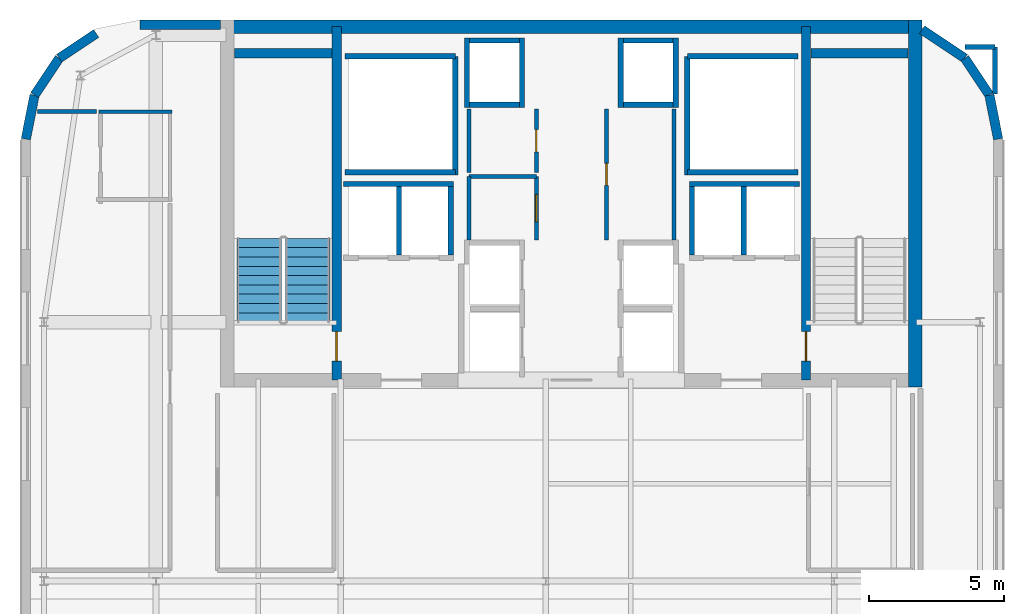
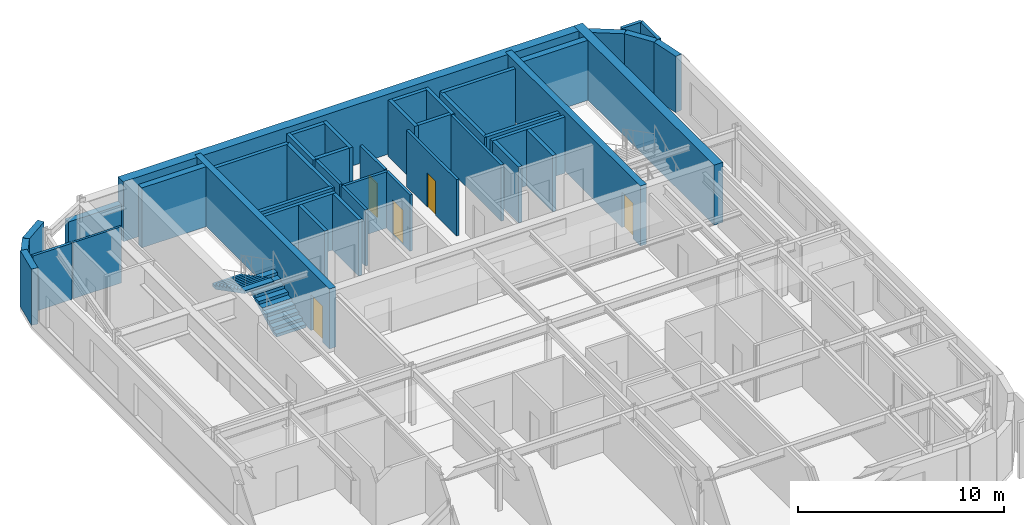
# One storey, part 9 of 15: 44 walls, 5 doors, 2 stair flights, 5 openings, 1 element without a shape of its own.
"""IFC4 building model written with IfcOpenShell, lengths in metres."""

from ifc_helpers import new_model, si_unit, direction, frame, frame_2d, origin, place, context, subcontext, project, spatial, polyline, rectangle, outline, extrude, source, transform, mapped, material, layer, layer_set, type_object, type_shapes, element, fill, aggregate, save


model = new_model("IFC4")

# Units and contexts
model_context = context("Model", 3, precision=1e-05, world=origin(), true_north=direction((0.0, 1.0)))
body_context = subcontext(model_context, "Body", "Model", "MODEL_VIEW")
ifc_project = project(units=[si_unit("LENGTHUNIT", "METRE"), si_unit("AREAUNIT", "SQUARE_METRE"), si_unit("VOLUMEUNIT", "CUBIC_METRE"), si_unit("PLANEANGLEUNIT", "RADIAN"), si_unit("MASSUNIT", "GRAM", prefix="KILO")], contexts=[model_context])

# Site, building, storey
site_placement = place(None, origin())
site = spatial("IfcSite", under=ifc_project, at=site_placement, CompositionType="ELEMENT")
building_placement = place(site_placement, origin())
building = spatial("IfcBuilding", under=site, at=building_placement, Name="Tolvann Quenvar Hotel", CompositionType="ELEMENT")
storey_placement = place(building_placement, frame((0.0, 0.0, 278.60009765625)))
storey = spatial("IfcBuildingStorey", under=building, at=storey_placement, Name="L74", CompositionType="ELEMENT", Elevation=278.60009765625)

# Walls
ifc_material_1 = material(Name="Concrete N50 (50 MPa)", Category="concrete")
ifc_layer_1 = layer(ifc_material_1, 0.5)
ifc_layer_set_1 = layer_set([ifc_layer_1], Name="Concrete N50 (50 MPa)")
wall_type_1 = type_object("IfcWallType", Name="WALL_CORE_500", PredefinedType="SHEAR", material=ifc_layer_set_1)
wall_1_placement = place(storey_placement, frame((10.0, 44.949951171875, 0.0), z_axis=(0.0, 0.0, 1.0), x_axis=(1.0, 0.0, 0.0)))
element("IfcWall", 1, at=wall_1_placement, inside=storey, type_object=wall_type_1, Name="Rear Core N Shear Wall (L74)", PredefinedType="SHEAR", context=body_context, shape_type="SweptSolid", body=[
    extrude(rectangle(XDim=26.0, YDim=0.5, at=frame_2d((13.0, 0.0))), origin(), (0.0, 0.0, 1.0), 3.5498046875),
])
wall_2_placement = place(storey_placement, frame((35.75, 31.60009765625, 0.0), z_axis=(0.0, 0.0, 1.0), x_axis=(0.0, 1.0, 0.0)))
element("IfcWall", 2, at=wall_2_placement, inside=storey, type_object=wall_type_1, Name="Rear Core E Shear Wall (L74)", PredefinedType="SHEAR", context=body_context, shape_type="SweptSolid", body=[
    extrude(rectangle(XDim=13.599853515625, YDim=0.5, at=frame_2d((6.7998046875, 0.0))), origin(), (0.0, 0.0, 1.0), 3.5498046875),
])

# Wall, opening, door
ifc_material_2 = material(Name="Concrete S65 (65 MPa)", Category="concrete")
ifc_layer_2 = layer(ifc_material_2, 0.35009765625)
ifc_layer_set_2 = layer_set([ifc_layer_2], Name="Concrete S65 (65 MPa)")
wall_type_2 = type_object("IfcWallType", Name="WALL_CORE_INT_350", PredefinedType="SHEAR", material=ifc_layer_set_2)
wall_3_placement = place(storey_placement, frame((14.300048828125, 31.85009765625, 0.0), z_axis=(0.0, 0.0, 1.0), x_axis=(0.0, 1.0, 0.0)))
wall_3 = element("IfcWall", 3, at=wall_3_placement, inside=storey, type_object=wall_type_2, Name="Core Internal Web Shear Wall WEB-W (L74)", PredefinedType="SHEAR", context=body_context, shape_type="SweptSolid", body=[
    extrude(rectangle(XDim=13.099853515625, YDim=0.35009765625, at=frame_2d((6.5498046875, 0.0))), origin(), (0.0, 0.0, 1.0), 3.5498046875),
])
opening_1_placement = place(wall_3_placement, frame((0.699951171875, 0.0, 0.0)))
opening_1 = element("IfcOpeningElement", 4, at=opening_1_placement, cuts=wall_3, Name="Opening FD-120", PredefinedType="OPENING", context=body_context, shape_type="SweptSolid", body=[
    extrude(rectangle(XDim=1.10009765625, YDim=2.1201171875, at=frame_2d((0.550048828125, 1.06005859375))), frame((0.0, 0.18505859375, 0.0), z_axis=(0.0, -1.0, 0.0), x_axis=(1.0, 0.0, 0.0)), (0.0, 0.0, 1.0), 0.3701171875),
])
ifc_material_3 = material(Name="Pressed galvanised steel fire-rated door set", Category="steel")
door_type_1 = type_object("IfcDoorType", Name="DOOR_FIRE_STAIR_1100", OperationType="NOTDEFINED", PredefinedType="DOOR", material=ifc_material_3)
shared_shape_1 = source(origin(), body_context, "Body", "SweptSolid", [
    extrude(rectangle(XDim=1.10009765625, YDim=2.1201171875, at=frame_2d((0.550048828125, 1.06005859375))), frame((0.0, 0.02490234375, 0.0), z_axis=(0.0, -1.0, 0.0), x_axis=(1.0, 0.0, 0.0)), (0.0, 0.0, 1.0), 0.050048828125),
])
type_shapes(door_type_1, [shared_shape_1])
door_1_placement = place(opening_1_placement, origin())
door_1 = element("IfcDoor", 5, at=door_1_placement, inside=storey, type_object=door_type_1, Name="Exit Stair ST-C1 Fire Door (L74)", OperationType="SINGLE_SWING_LEFT", OverallHeight=2.1201171875, OverallWidth=1.10009765625, PredefinedType="DOOR", context=body_context, shape_type="MappedRepresentation", body=[
    mapped(shared_shape_1, transform((0.0, 0.0, 0.0), x_axis=(1.0, 0.0, 0.0), y_axis=(0.0, 1.0, 0.0), z_axis=(0.0, 0.0, 1.0), scale=1.0)),
])
fill(opening_1, door_1)

wall_4_placement = place(storey_placement, frame((31.699951171875, 31.85009765625, 0.0), z_axis=(0.0, 0.0, 1.0), x_axis=(0.0, 1.0, 0.0)))
wall_4 = element("IfcWall", 6, at=wall_4_placement, inside=storey, type_object=wall_type_2, Name="Core Internal Web Shear Wall WEB-E (L74)", PredefinedType="SHEAR", context=body_context, shape_type="SweptSolid", body=[
    extrude(rectangle(XDim=13.099853515625, YDim=0.35009765625, at=frame_2d((6.5498046875, 0.0))), origin(), (0.0, 0.0, 1.0), 3.5498046875),
])
opening_2_placement = place(wall_4_placement, frame((1.800048828125, 0.0, 0.0), z_axis=(0.0, 0.0, 1.0), x_axis=(-1.0, 0.0, 0.0)))
opening_2 = element("IfcOpeningElement", 7, at=opening_2_placement, cuts=wall_4, Name="Opening FD-120", PredefinedType="OPENING", context=body_context, shape_type="SweptSolid", body=[
    extrude(rectangle(XDim=1.10009765625, YDim=2.1201171875, at=frame_2d((0.550048828125, 1.06005859375))), frame((0.0, 0.18505859375, 0.0), z_axis=(0.0, -1.0, 0.0), x_axis=(1.0, 0.0, 0.0)), (0.0, 0.0, 1.0), 0.3701171875),
])
door_2_placement = place(opening_2_placement, origin())
door_2 = element("IfcDoor", 8, at=door_2_placement, inside=storey, type_object=door_type_1, Name="Exit Stair ST-C2 Fire Door (L74)", OperationType="SINGLE_SWING_RIGHT", OverallHeight=2.1201171875, OverallWidth=1.10009765625, PredefinedType="DOOR", context=body_context, shape_type="MappedRepresentation", body=[
    mapped(shared_shape_1, transform((0.0, 0.0, 0.0), x_axis=(1.0, 0.0, 0.0), y_axis=(0.0, 1.0, 0.0), z_axis=(0.0, 0.0, 1.0), scale=1.0)),
])
fill(opening_2, door_2)

# Walls
for number, where, z_axis, x_axis, name in (
    (9, (10.52001953125, 43.97509765625, 0.0), (0.0, 0.0, 1.0), (1.0, 0.0, 0.0), "Core Stair North Closing Shear Wall STC1-N (L74)"),
    (10, (31.8798828125, 43.97509765625, 0.0), (0.0, 0.0, 1.0), (1.0, 0.0, 0.0), "Core Stair North Closing Shear Wall STC2-N (L74)"),
):
    element("IfcWall", number, at=place(storey_placement, frame(where, z_axis=z_axis, x_axis=x_axis)), inside=storey, type_object=wall_type_2, Name=name, PredefinedType="SHEAR", context=body_context, shape_type="SweptSolid", body=[
        extrude(rectangle(XDim=3.60009765625, YDim=0.35009765625, at=frame_2d((1.800048828125, 0.0))), origin(), (0.0, 0.0, 1.0), 3.5498046875),
    ])
ifc_material_4 = material(Name="Kiln-fired red and buff architectural clay brickwork and terracotta masonry", Category="masonry")
ifc_layer_3 = layer(ifc_material_4, 0.35009765625)
ifc_layer_set_3 = layer_set([ifc_layer_3], Name="Kiln-fired red and buff architectural clay brickwork and terracotta masonry")
wall_type_3 = type_object("IfcWallType", Name="WALL_EXT_BRICK_350", PredefinedType="SOLIDWALL", material=ifc_layer_set_3)
wall_5_placement = place(storey_placement, frame((38.824951171875, 40.78271484375, 0.0), z_axis=(0.0, 0.0, 1.0), x_axis=(-0.195044345786, 0.980794424524, 0.0)))
element("IfcWall", 11, at=wall_5_placement, inside=storey, type_object=wall_type_3, Name="Exterior Chicago Brick Wall L74-E10", PredefinedType="SOLIDWALL", context=body_context, shape_type="SweptSolid", body=[
    extrude(rectangle(XDim=1.664794921875, YDim=0.35009765625, at=frame_2d((0.83251953125, 0.0))), origin(), (0.0, 0.0, 1.0), 3.329833984375),
])
wall_6_placement = place(storey_placement, frame((38.500244140625, 42.41552734375, 0.0), z_axis=(0.0, 0.0, 1.0), x_axis=(-0.555520825599, 0.831502623162, 0.0)))
element("IfcWall", 12, at=wall_6_placement, inside=storey, type_object=wall_type_3, Name="Exterior Chicago Brick Wall L74-E11", PredefinedType="SOLIDWALL", context=body_context, shape_type="SweptSolid", body=[
    extrude(rectangle(XDim=1.647216796875, YDim=0.35009765625, at=frame_2d((0.82373046875, 0.0))), origin(), (0.0, 0.0, 1.0), 3.329833984375),
])
wall_7_placement = place(storey_placement, frame((37.585205078125, 43.78515625, 0.0), z_axis=(0.0, 0.0, 1.0), x_axis=(-0.831516639465, 0.555499845448, 0.0)))
element("IfcWall", 13, at=wall_7_placement, inside=storey, type_object=wall_type_3, Name="Exterior Chicago Brick Wall L74-E12", PredefinedType="SOLIDWALL", context=body_context, shape_type="SweptSolid", body=[
    extrude(rectangle(XDim=1.901611328125, YDim=0.35009765625, at=frame_2d((0.95068359375, 0.0))), origin(), (0.0, 0.0, 1.0), 3.329833984375),
])
wall_8_placement = place(storey_placement, frame((9.99609375, 45.02490234375, 0.0), z_axis=(0.0, 0.0, 1.0), x_axis=(-1.0, 0.0, 0.0)))
element("IfcWall", 14, at=wall_8_placement, inside=storey, type_object=wall_type_3, Name="Exterior Chicago Brick Wall L74-E14NW", PredefinedType="SOLIDWALL", context=body_context, shape_type="SweptSolid", body=[
    extrude(rectangle(XDim=2.97900390625, YDim=0.35009765625, at=frame_2d((1.489501953125, 0.0))), origin(), (0.0, 0.0, 1.0), 2.119873046875),
])
for number, where, z_axis, x_axis, name in (
    (15, (5.384521484375, 44.7001953125, 0.0), (0.0, 0.0, 1.0), (-0.831502623162, -0.555520825599, 0.0), "Exterior Chicago Brick Wall L74-E16"),
    (16, (4.014892578125, 43.78515625, 0.0), (0.0, 0.0, 1.0), (-0.555623290322, -0.831434158098, 0.0), "Exterior Chicago Brick Wall L74-E17"),
):
    element("IfcWall", number, at=place(storey_placement, frame(where, z_axis=z_axis, x_axis=x_axis)), inside=storey, type_object=wall_type_3, Name=name, PredefinedType="SOLIDWALL", context=body_context, shape_type="SweptSolid", body=[
        extrude(rectangle(XDim=1.647216796875, YDim=0.35009765625, at=frame_2d((0.82373046875, 0.0))), origin(), (0.0, 0.0, 1.0), 2.85986328125),
    ])
wall_9_placement = place(storey_placement, frame((3.099609375, 42.41552734375, 0.0), z_axis=(0.0, 0.0, 1.0), x_axis=(-0.195044345786, -0.980794424524, 0.0)))
element("IfcWall", 17, at=wall_9_placement, inside=storey, type_object=wall_type_3, Name="Exterior Chicago Brick Wall L74-E18", PredefinedType="SOLIDWALL", context=body_context, shape_type="SweptSolid", body=[
    extrude(rectangle(XDim=1.664794921875, YDim=0.35009765625, at=frame_2d((0.83251953125, 0.0))), origin(), (0.0, 0.0, 1.0), 3.329833984375),
])
ifc_material_5 = material(Name="Acoustic twin-stud fire-rated gypsum plasterboard partition")
ifc_layer_4 = layer(ifc_material_5, 0.179931640625)
ifc_layer_set_4 = layer_set([ifc_layer_4], Name="Acoustic twin-stud fire-rated gypsum plasterboard partition")
wall_type_4 = type_object("IfcWallType", Name="WALL_PART_ACOUSTIC_180", PredefinedType="PARTITIONING", material=ifc_layer_set_4)
wall_10_placement = place(storey_placement, frame((37.5849609375, 44.199951171875, 0.0), z_axis=(0.0, 0.0, 1.0), x_axis=(1.0, 0.0, 0.0)))
element("IfcWall", 18, at=wall_10_placement, inside=storey, type_object=wall_type_4, Name="Interior Partition PT-SPC-L74-LNGE-N", PredefinedType="PARTITIONING", context=body_context, shape_type="SweptSolid", body=[
    extrude(rectangle(XDim=1.114990234375, YDim=0.179931640625, at=frame_2d((0.5576171875, 0.0))), origin(), (0.0, 0.0, 1.0), 3.329833984375),
])
wall_11_placement = place(storey_placement, frame((38.699951171875, 42.455078125, 0.0), z_axis=(0.0, 0.0, 1.0), x_axis=(0.0, 1.0, 0.0)))
element("IfcWall", 19, at=wall_11_placement, inside=storey, type_object=wall_type_4, Name="Interior Partition PT-SPC-L74-LNGE-E", PredefinedType="PARTITIONING", context=body_context, shape_type="SweptSolid", body=[
    extrude(rectangle(XDim=1.744873046875, YDim=0.179931640625, at=frame_2d((0.87255859375, 0.0))), origin(), (0.0, 0.0, 1.0), 3.329833984375),
])
ifc_material_6 = material(Name="Moisture-resistant acoustic plumbing wall assembly")
ifc_layer_5 = layer(ifc_material_6, 0.1201171875)
ifc_layer_set_5 = layer_set([ifc_layer_5], Name="Moisture-resistant acoustic plumbing wall assembly")
wall_type_5 = type_object("IfcWallType", Name="WALL_PART_BATH_120", PredefinedType="PLUMBINGWALL", material=ifc_layer_set_5)
wall_12_placement = place(storey_placement, frame((5.47998046875, 41.800048828125, 0.0), z_axis=(0.0, 0.0, 1.0), x_axis=(1.0, 0.0, 0.0)))
element("IfcWall", 20, at=wall_12_placement, inside=storey, type_object=wall_type_5, Name="Non-Rated Plumbing Partition PT-SPC-L74-NW-ENS-N", PredefinedType="PLUMBINGWALL", context=body_context, shape_type="SweptSolid", body=[
    extrude(rectangle(XDim=2.7099609375, YDim=0.1201171875, at=frame_2d((1.35498046875, 0.0))), origin(), (0.0, 0.0, 1.0), 3.329833984375),
])

# Wall, opening, door
ifc_layer_6 = layer(ifc_material_5, 0.14990234375)
ifc_layer_set_6 = layer_set([ifc_layer_6], Name="Acoustic twin-stud fire-rated gypsum plasterboard partition")
wall_type_6 = type_object("IfcWallType", Name="WALL_PART_SUITE_150", PredefinedType="PARTITIONING", material=ifc_layer_set_6)
wall_13_placement = place(storey_placement, frame((21.699951171875, 37.050048828125, 0.0), z_axis=(0.0, 0.0, 1.0), x_axis=(0.0, 1.0, 0.0)))
wall_13 = element("IfcWall", 21, at=wall_13_placement, inside=storey, type_object=wall_type_6, Name="Interior Partition PT-SPC-L74-RECPM-1-ENT", PredefinedType="PARTITIONING", context=body_context, shape_type="SweptSolid", body=[
    extrude(rectangle(XDim=2.349853515625, YDim=0.14990234375, at=frame_2d((1.1748046875, 0.0))), origin(), (0.0, 0.0, 1.0), 3.329833984375),
])
opening_3_placement = place(wall_13_placement, frame((0.6650390625, 0.0, 0.0)))
opening_3 = element("IfcOpeningElement", 22, at=opening_3_placement, cuts=wall_13, Name="Opening HD-01", PredefinedType="OPENING", context=body_context, shape_type="SweptSolid", body=[
    extrude(rectangle(XDim=1.02001953125, YDim=2.030029296875, at=frame_2d((0.510009765625, 1.01513671875))), frame((0.0, 0.0849609375, 0.0), z_axis=(0.0, -1.0, 0.0), x_axis=(1.0, 0.0, 0.0)), (0.0, 0.0, 1.0), 0.169921875),
])
door_type_2 = type_object("IfcDoorType", Name="DOOR_BOH_1020", OperationType="NOTDEFINED", PredefinedType="DOOR", material=ifc_material_3)
shared_shape_2 = source(origin(), body_context, "Body", "SweptSolid", [
    extrude(rectangle(XDim=1.02001953125, YDim=2.030029296875, at=frame_2d((0.510009765625, 1.01513671875))), frame((0.0, 0.02490234375, 0.0), z_axis=(0.0, -1.0, 0.0), x_axis=(1.0, 0.0, 0.0)), (0.0, 0.0, 1.0), 0.050048828125),
])
type_shapes(door_type_2, [shared_shape_2])
door_3_placement = place(opening_3_placement, origin())
door_3 = element("IfcDoor", 23, at=door_3_placement, inside=storey, type_object=door_type_2, Name="Interior Door DOOR-SPC-L74-RECPM-1", OperationType="SINGLE_SWING_LEFT", OverallHeight=2.030029296875, OverallWidth=1.02001953125, PredefinedType="DOOR", context=body_context, shape_type="MappedRepresentation", body=[
    mapped(shared_shape_2, transform((0.0, 0.0, 0.0), x_axis=(1.0, 0.0, 0.0), y_axis=(0.0, 1.0, 0.0), z_axis=(0.0, 0.0, 1.0), scale=1.0)),
])
fill(opening_3, door_3)

# Walls
wall_14_placement = place(storey_placement, frame((19.199951171875, 39.39990234375, 0.0), z_axis=(0.0, 0.0, 1.0), x_axis=(1.0, 0.0, 0.0)))
element("IfcWall", 24, at=wall_14_placement, inside=storey, type_object=wall_type_6, Name="Interior Partition PT-SPC-L74-RECPM-1-N", PredefinedType="PARTITIONING", context=body_context, shape_type="SweptSolid", body=[
    extrude(rectangle(XDim=2.5, YDim=0.14990234375, at=frame_2d((1.25, 0.0))), origin(), (0.0, 0.0, 1.0), 3.329833984375),
])
wall_15_placement = place(storey_placement, frame((19.199951171875, 37.0400390625, 0.0), z_axis=(0.0, 0.0, 1.0), x_axis=(0.0, 1.0, 0.0)))
element("IfcWall", 25, at=wall_15_placement, inside=storey, type_object=wall_type_6, Name="Interior Partition PT-SPC-L74-RECPM-1-W", PredefinedType="PARTITIONING", context=body_context, shape_type="SweptSolid", body=[
    extrude(rectangle(XDim=2.35986328125, YDim=0.14990234375, at=frame_2d((1.179931640625, 0.0))), origin(), (0.0, 0.0, 1.0), 3.329833984375),
])

# Wall, opening, door
wall_16_placement = place(storey_placement, frame((21.699951171875, 39.550048828125, 0.0), z_axis=(0.0, 0.0, 1.0), x_axis=(0.0, 1.0, 0.0)))
wall_16 = element("IfcWall", 26, at=wall_16_placement, inside=storey, type_object=wall_type_6, Name="Interior Partition PT-SPC-L74-RECPM-2-ENT", PredefinedType="PARTITIONING", context=body_context, shape_type="SweptSolid", body=[
    extrude(rectangle(XDim=2.349853515625, YDim=0.14990234375, at=frame_2d((1.1748046875, 0.0))), origin(), (0.0, 0.0, 1.0), 3.329833984375),
])
opening_4_placement = place(wall_16_placement, frame((0.764892578125, 0.0, 0.0)))
opening_4 = element("IfcOpeningElement", 27, at=opening_4_placement, cuts=wall_16, Name="Opening HD-02", PredefinedType="OPENING", context=body_context, shape_type="SweptSolid", body=[
    extrude(rectangle(XDim=0.820068359375, YDim=2.010009765625, at=frame_2d((0.41015625, 1.0048828125))), frame((0.0, 0.0849609375, 0.0), z_axis=(0.0, -1.0, 0.0), x_axis=(1.0, 0.0, 0.0)), (0.0, 0.0, 1.0), 0.169921875),
])
door_type_3 = type_object("IfcDoorType", Name="DOOR_STORE_820", OperationType="NOTDEFINED", PredefinedType="DOOR", material=ifc_material_3)
shared_shape_3 = source(origin(), body_context, "Body", "SweptSolid", [
    extrude(rectangle(XDim=0.820068359375, YDim=2.010009765625, at=frame_2d((0.41015625, 1.0048828125))), frame((0.0, 0.02490234375, 0.0), z_axis=(0.0, -1.0, 0.0), x_axis=(1.0, 0.0, 0.0)), (0.0, 0.0, 1.0), 0.050048828125),
])
type_shapes(door_type_3, [shared_shape_3])
door_4_placement = place(opening_4_placement, origin())
door_4 = element("IfcDoor", 28, at=door_4_placement, inside=storey, type_object=door_type_3, Name="Interior Door DOOR-SPC-L74-RECPM-2", OperationType="SINGLE_SWING_RIGHT", OverallHeight=2.010009765625, OverallWidth=0.820068359375, PredefinedType="DOOR", context=body_context, shape_type="MappedRepresentation", body=[
    mapped(shared_shape_3, transform((0.0, 0.0, 0.0), x_axis=(1.0, 0.0, 0.0), y_axis=(0.0, 1.0, 0.0), z_axis=(0.0, 0.0, 1.0), scale=1.0)),
])
fill(opening_4, door_4)

# Wall
wall_17_placement = place(storey_placement, frame((19.199951171875, 39.550048828125, 0.0), z_axis=(0.0, 0.0, 1.0), x_axis=(0.0, 1.0, 0.0)))
element("IfcWall", 29, at=wall_17_placement, inside=storey, type_object=wall_type_6, Name="Interior Partition PT-SPC-L74-RECPM-2-W", PredefinedType="PARTITIONING", context=body_context, shape_type="SweptSolid", body=[
    extrude(rectangle(XDim=2.349853515625, YDim=0.14990234375, at=frame_2d((1.1748046875, 0.0))), origin(), (0.0, 0.0, 1.0), 3.329833984375),
])

# Wall, opening, door
wall_18_placement = place(storey_placement, frame((24.300048828125, 37.050048828125, 0.0), z_axis=(0.0, 0.0, 1.0), x_axis=(0.0, 1.0, 0.0)))
wall_18 = element("IfcWall", 30, at=wall_18_placement, inside=storey, type_object=wall_type_6, Name="Interior Partition PT-SPC-L74-RECPM-3-ENT", PredefinedType="PARTITIONING", context=body_context, shape_type="SweptSolid", body=[
    extrude(rectangle(XDim=4.849853515625, YDim=0.14990234375, at=frame_2d((2.4248046875, 0.0))), origin(), (0.0, 0.0, 1.0), 3.329833984375),
])
opening_5_placement = place(wall_18_placement, frame((2.014892578125, 0.0, 0.0)))
opening_5 = element("IfcOpeningElement", 31, at=opening_5_placement, cuts=wall_18, Name="Opening HD-02", PredefinedType="OPENING", context=body_context, shape_type="SweptSolid", body=[
    extrude(rectangle(XDim=0.820068359375, YDim=2.010009765625, at=frame_2d((0.41015625, 1.0048828125))), frame((0.0, 0.0849609375, 0.0), z_axis=(0.0, -1.0, 0.0), x_axis=(1.0, 0.0, 0.0)), (0.0, 0.0, 1.0), 0.169921875),
])
door_5_placement = place(opening_5_placement, origin())
door_5 = element("IfcDoor", 32, at=door_5_placement, inside=storey, type_object=door_type_3, Name="Interior Door DOOR-SPC-L74-RECPM-3", OperationType="SINGLE_SWING_LEFT", OverallHeight=2.010009765625, OverallWidth=0.820068359375, PredefinedType="DOOR", context=body_context, shape_type="MappedRepresentation", body=[
    mapped(shared_shape_3, transform((0.0, 0.0, 0.0), x_axis=(1.0, 0.0, 0.0), y_axis=(0.0, 1.0, 0.0), z_axis=(0.0, 0.0, 1.0), scale=1.0)),
])
fill(opening_5, door_5)

# Walls
wall_19_placement = place(storey_placement, frame((26.800048828125, 37.0400390625, 0.0), z_axis=(0.0, 0.0, 1.0), x_axis=(0.0, 1.0, 0.0)))
element("IfcWall", 33, at=wall_19_placement, inside=storey, type_object=wall_type_6, Name="Interior Partition PT-SPC-L74-RECPM-3-E", PredefinedType="PARTITIONING", context=body_context, shape_type="SweptSolid", body=[
    extrude(rectangle(XDim=4.85986328125, YDim=0.14990234375, at=frame_2d((2.429931640625, 0.0))), origin(), (0.0, 0.0, 1.0), 3.329833984375),
])
wall_20_placement = place(storey_placement, frame((3.2119140625, 41.800048828125, 0.0), z_axis=(0.0, 0.0, 1.0), x_axis=(1.0, 0.0, 0.0)))
element("IfcWall", 34, at=wall_20_placement, inside=storey, type_object=wall_type_6, Name="Interior Partition PT-SPC-L74-NW-STE-E5", PredefinedType="PARTITIONING", context=body_context, shape_type="SweptSolid", body=[
    extrude(rectangle(XDim=2.18798828125, YDim=0.14990234375, at=frame_2d((1.093994140625, 0.0))), origin(), (0.0, 0.0, 1.0), 3.329833984375),
])
ifc_material_7 = material(Name="Concrete N40 (40 MPa)", Category="concrete")
ifc_layer_7 = layer(ifc_material_7, 0.199951171875)
ifc_layer_set_7 = layer_set([ifc_layer_7], Name="Concrete N40 (40 MPa)")
wall_type_7 = type_object("IfcWallType", Name="WALL_SHAFT_200", PredefinedType="SOLIDWALL", material=ifc_layer_set_7)
wall_21_placement = place(storey_placement, frame((18.699951171875, 39.449951171875, 0.0), z_axis=(0.0, 0.0, 1.0), x_axis=(0.0, 1.0, 0.0)))
element("IfcWall", 35, at=wall_21_placement, inside=storey, type_object=wall_type_7, Name="Service Riser W Shaft Wall IN (L74)", PredefinedType="SOLIDWALL", context=body_context, shape_type="SweptSolid", body=[
    extrude(rectangle(XDim=4.400146484375, YDim=0.199951171875, at=frame_2d((2.2001953125, 0.0))), origin(), (0.0, 0.0, 1.0), 3.329833984375),
])
for number, where, z_axis, x_axis, name in (
    (36, (14.60009765625, 39.550048828125, 0.0), (0.0, 0.0, 1.0), (1.0, 0.0, 0.0), "Service Riser W Shaft Wall S (L74)"),
    (37, (14.60009765625, 43.85009765625, 0.0), (0.0, 0.0, 1.0), (1.0, 0.0, 0.0), "Service Riser W Shaft Wall N (L74)"),
):
    element("IfcWall", number, at=place(storey_placement, frame(where, z_axis=z_axis, x_axis=x_axis)), inside=storey, type_object=wall_type_7, Name=name, PredefinedType="SOLIDWALL", context=body_context, shape_type="SweptSolid", body=[
        extrude(rectangle(XDim=4.099853515625, YDim=0.199951171875, at=frame_2d((2.0498046875, 0.0))), origin(), (0.0, 0.0, 1.0), 3.329833984375),
    ])
wall_22_placement = place(storey_placement, frame((27.300048828125, 39.449951171875, 0.0), z_axis=(0.0, 0.0, 1.0), x_axis=(0.0, 1.0, 0.0)))
element("IfcWall", 38, at=wall_22_placement, inside=storey, type_object=wall_type_7, Name="Service Riser E Shaft Wall IN (L74)", PredefinedType="SOLIDWALL", context=body_context, shape_type="SweptSolid", body=[
    extrude(rectangle(XDim=4.400146484375, YDim=0.199951171875, at=frame_2d((2.2001953125, 0.0))), origin(), (0.0, 0.0, 1.0), 3.329833984375),
])
for number, where, z_axis, x_axis, name in (
    (39, (27.300048828125, 39.550048828125, 0.0), (0.0, 0.0, 1.0), (1.0, 0.0, 0.0), "Service Riser E Shaft Wall S (L74)"),
    (40, (27.300048828125, 43.85009765625, 0.0), (0.0, 0.0, 1.0), (1.0, 0.0, 0.0), "Service Riser E Shaft Wall N (L74)"),
):
    element("IfcWall", number, at=place(storey_placement, frame(where, z_axis=z_axis, x_axis=x_axis)), inside=storey, type_object=wall_type_7, Name=name, PredefinedType="SOLIDWALL", context=body_context, shape_type="SweptSolid", body=[
        extrude(rectangle(XDim=4.099853515625, YDim=0.199951171875, at=frame_2d((2.0498046875, 0.0))), origin(), (0.0, 0.0, 1.0), 3.329833984375),
    ])
for number, where, z_axis, x_axis, name in (
    (41, (21.169921875, 41.9599609375, 0.0), (0.0, 0.0, 1.0), (0.0, 1.0, 0.0), "Lift Bank E21.1C2 Hoistway Front Wall (L74)"),
    (42, (19.1298828125, 41.9599609375, 0.0), (0.0, 0.0, 1.0), (0.0, 1.0, 0.0), "Lift Bank E21.1C2 Hoistway Rear Wall (L74)"),
):
    element("IfcWall", number, at=place(storey_placement, frame(where, z_axis=z_axis, x_axis=x_axis)), inside=storey, type_object=wall_type_7, Name=name, PredefinedType="SOLIDWALL", context=body_context, shape_type="SweptSolid", body=[
        extrude(rectangle(XDim=2.580078125, YDim=0.199951171875, at=frame_2d((1.2900390625, 0.0))), origin(), (0.0, 0.0, 1.0), 3.329833984375),
    ])
for number, where, z_axis, x_axis, name in (
    (43, (19.22998046875, 42.06005859375, 0.0), (0.0, 0.0, 1.0), (1.0, 0.0, 0.0), "Lift Bank E21.1C2 Hoistway Cheek Wall 1 (L74)"),
    (44, (19.22998046875, 44.43994140625, 0.0), (0.0, 0.0, 1.0), (1.0, 0.0, 0.0), "Lift Bank E21.1C2 Hoistway Cheek Wall 2 (L74)"),
):
    element("IfcWall", number, at=place(storey_placement, frame(where, z_axis=z_axis, x_axis=x_axis)), inside=storey, type_object=wall_type_7, Name=name, PredefinedType="SOLIDWALL", context=body_context, shape_type="SweptSolid", body=[
        extrude(rectangle(XDim=1.840087890625, YDim=0.199951171875, at=frame_2d((0.919921875, 0.0))), origin(), (0.0, 0.0, 1.0), 3.329833984375),
    ])
wall_23_placement = place(storey_placement, frame((27.375, 39.1201171875, 0.0), z_axis=(0.0, 0.0, 1.0), x_axis=(1.0, 0.0, 0.0)))
element("IfcWall", 45, at=wall_23_placement, inside=storey, type_object=wall_type_7, Name="Lift Bank SEC1 Hoistway Rear Wall (L74)", PredefinedType="SOLIDWALL", context=body_context, shape_type="SweptSolid", body=[
    extrude(rectangle(XDim=4.074951171875, YDim=0.199951171875, at=frame_2d((2.03759765625, 0.0))), origin(), (0.0, 0.0, 1.0), 3.329833984375),
])
for number, where, z_axis, x_axis, name in (
    (46, (27.47509765625, 36.47998046875, 0.0), (0.0, 0.0, 1.0), (0.0, 1.0, 0.0), "Lift Bank SEC1 Hoistway Cheek Wall 1 (L74)"),
    (47, (29.387451171875, 36.47998046875, 0.0), (0.0, 0.0, 1.0), (0.0, 1.0, 0.0), "Lift Bank SEC1 Divider Wall 1 (L74)"),
):
    element("IfcWall", number, at=place(storey_placement, frame(where, z_axis=z_axis, x_axis=x_axis)), inside=storey, type_object=wall_type_7, Name=name, PredefinedType="SOLIDWALL", context=body_context, shape_type="SweptSolid", body=[
        extrude(rectangle(XDim=2.5400390625, YDim=0.199951171875, at=frame_2d((1.27001953125, 0.0))), origin(), (0.0, 0.0, 1.0), 3.329833984375),
    ])
wall_24_placement = place(storey_placement, frame((14.550048828125, 39.1201171875, 0.0), z_axis=(0.0, 0.0, 1.0), x_axis=(1.0, 0.0, 0.0)))
element("IfcWall", 48, at=wall_24_placement, inside=storey, type_object=wall_type_7, Name="Lift Bank SWC1 Hoistway Rear Wall (L74)", PredefinedType="SOLIDWALL", context=body_context, shape_type="SweptSolid", body=[
    extrude(rectangle(XDim=4.074951171875, YDim=0.199951171875, at=frame_2d((2.03759765625, 0.0))), origin(), (0.0, 0.0, 1.0), 3.329833984375),
])
for number, where, z_axis, x_axis, name in (
    (49, (18.52490234375, 36.47998046875, 0.0), (0.0, 0.0, 1.0), (0.0, 1.0, 0.0), "Lift Bank SWC1 Hoistway Cheek Wall 2 (L74)"),
    (50, (16.612548828125, 36.47998046875, 0.0), (0.0, 0.0, 1.0), (0.0, 1.0, 0.0), "Lift Bank SWC1 Divider Wall 1 (L74)"),
):
    element("IfcWall", number, at=place(storey_placement, frame(where, z_axis=z_axis, x_axis=x_axis)), inside=storey, type_object=wall_type_7, Name=name, PredefinedType="SOLIDWALL", context=body_context, shape_type="SweptSolid", body=[
        extrude(rectangle(XDim=2.5400390625, YDim=0.199951171875, at=frame_2d((1.27001953125, 0.0))), origin(), (0.0, 0.0, 1.0), 3.329833984375),
    ])
for number, where, z_axis, x_axis, name in (
    (51, (24.830078125, 41.9599609375, 0.0), (0.0, 0.0, 1.0), (0.0, 1.0, 0.0), "Lift Bank W24.9C2 Hoistway Front Wall (L74)"),
    (52, (26.8701171875, 41.9599609375, 0.0), (0.0, 0.0, 1.0), (0.0, 1.0, 0.0), "Lift Bank W24.9C2 Hoistway Rear Wall (L74)"),
):
    element("IfcWall", number, at=place(storey_placement, frame(where, z_axis=z_axis, x_axis=x_axis)), inside=storey, type_object=wall_type_7, Name=name, PredefinedType="SOLIDWALL", context=body_context, shape_type="SweptSolid", body=[
        extrude(rectangle(XDim=2.580078125, YDim=0.199951171875, at=frame_2d((1.2900390625, 0.0))), origin(), (0.0, 0.0, 1.0), 3.329833984375),
    ])
for number, where, z_axis, x_axis, name in (
    (53, (24.929931640625, 42.06005859375, 0.0), (0.0, 0.0, 1.0), (1.0, 0.0, 0.0), "Lift Bank W24.9C2 Hoistway Cheek Wall 1 (L74)"),
    (54, (24.929931640625, 44.43994140625, 0.0), (0.0, 0.0, 1.0), (1.0, 0.0, 0.0), "Lift Bank W24.9C2 Hoistway Cheek Wall 2 (L74)"),
):
    element("IfcWall", number, at=place(storey_placement, frame(where, z_axis=z_axis, x_axis=x_axis)), inside=storey, type_object=wall_type_7, Name=name, PredefinedType="SOLIDWALL", context=body_context, shape_type="SweptSolid", body=[
        extrude(rectangle(XDim=1.840087890625, YDim=0.199951171875, at=frame_2d((0.919921875, 0.0))), origin(), (0.0, 0.0, 1.0), 3.329833984375),
    ])

# Stair, stair flights
stair_type = type_object("IfcStairType", Name="STAIR", PredefinedType="HALF_TURN_STAIR", material=ifc_material_7)
stair_placement = place(storey_placement, origin())
stair = element("IfcStair", 55, at=stair_placement, inside=storey, type_object=stair_type, Name="L74 ST-C1", PredefinedType="HALF_TURN_STAIR")
stair_flight_type = type_object("IfcStairFlightType", Name="STAIR_FLIGHT", PredefinedType="STRAIGHT", material=ifc_material_7)
stair_flight_1_placement = place(storey_placement, frame((13.22509765625, 34.0, 0.0), z_axis=(0.0, 0.0, 1.0), x_axis=(0.0, 1.0, 0.0)))
stair_flight_1 = element("IfcStairFlight", 56, at=stair_flight_1_placement, type_object=stair_flight_type, Name="ST-C1 flight 1", NumberOfRisers=10, NumberOfTreads=9, PredefinedType="STRAIGHT", RiserHeight=0.1775, TreadLength=0.345, context=body_context, shape_type="SweptSolid", body=[
    extrude(outline(polyline([(0.0, 0.0), (0.0, 0.177490234375), (0.344970703125, 0.177490234375), (0.344970703125, 0.35498046875), (0.68994140625, 0.35498046875), (0.68994140625, 0.532470703125), (1.034912109375, 0.532470703125), (1.034912109375, 0.7099609375), (1.3798828125, 0.7099609375), (1.3798828125, 0.887451171875), (1.72509765625, 0.887451171875), (1.72509765625, 1.06494140625), (2.070068359375, 1.06494140625), (2.070068359375, 1.242431640625), (2.4150390625, 1.242431640625), (2.4150390625, 1.419921875), (2.760009765625, 1.419921875), (2.760009765625, 1.597412109375), (3.10498046875, 1.597412109375), (3.10498046875, 1.77490234375), (3.10498046875, 1.428955078125), (0.32763671875, 0.0), (0.0, 0.0)])), frame((0.0, 0.824951171875, 0.0), z_axis=(0.0, -1.0, 0.0), x_axis=(1.0, 0.0, 0.0)), (0.0, 0.0, 1.0), 1.64990234375),
])
stair_flight_2_placement = place(storey_placement, frame((11.425048828125, 37.10498046875, 1.77490234375), z_axis=(0.0, 0.0, 1.0), x_axis=(0.0, -1.0, 0.0)))
stair_flight_2 = element("IfcStairFlight", 57, at=stair_flight_2_placement, type_object=stair_flight_type, Name="ST-C1 flight 2", NumberOfRisers=10, NumberOfTreads=9, PredefinedType="STRAIGHT", RiserHeight=0.1775, TreadLength=0.345, context=body_context, shape_type="SweptSolid", body=[
    extrude(outline(polyline([(0.0, 0.0), (0.0, 0.177490234375), (0.344970703125, 0.177490234375), (0.344970703125, 0.35498046875), (0.68994140625, 0.35498046875), (0.68994140625, 0.532470703125), (1.034912109375, 0.532470703125), (1.034912109375, 0.7099609375), (1.3798828125, 0.7099609375), (1.3798828125, 0.887451171875), (1.72509765625, 0.887451171875), (1.72509765625, 1.06494140625), (2.070068359375, 1.06494140625), (2.070068359375, 1.242431640625), (2.4150390625, 1.242431640625), (2.4150390625, 1.419921875), (2.760009765625, 1.419921875), (2.760009765625, 1.597412109375), (3.10498046875, 1.597412109375), (3.10498046875, 1.77490234375), (3.10498046875, 1.428955078125), (0.32763671875, 0.0), (0.0, 0.0)])), frame((0.0, 0.824951171875, 0.0), z_axis=(0.0, -1.0, 0.0), x_axis=(1.0, 0.0, 0.0)), (0.0, 0.0, 1.0), 1.64990234375),
])
aggregate(stair, [stair_flight_1, stair_flight_2])

save(model, "model.ifc")
